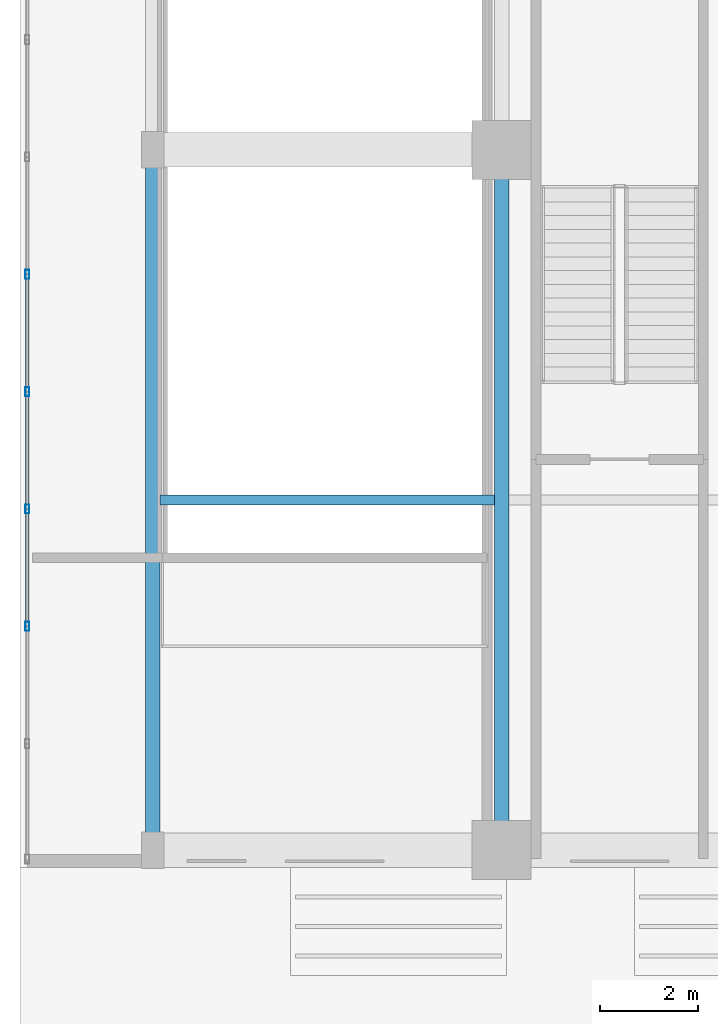
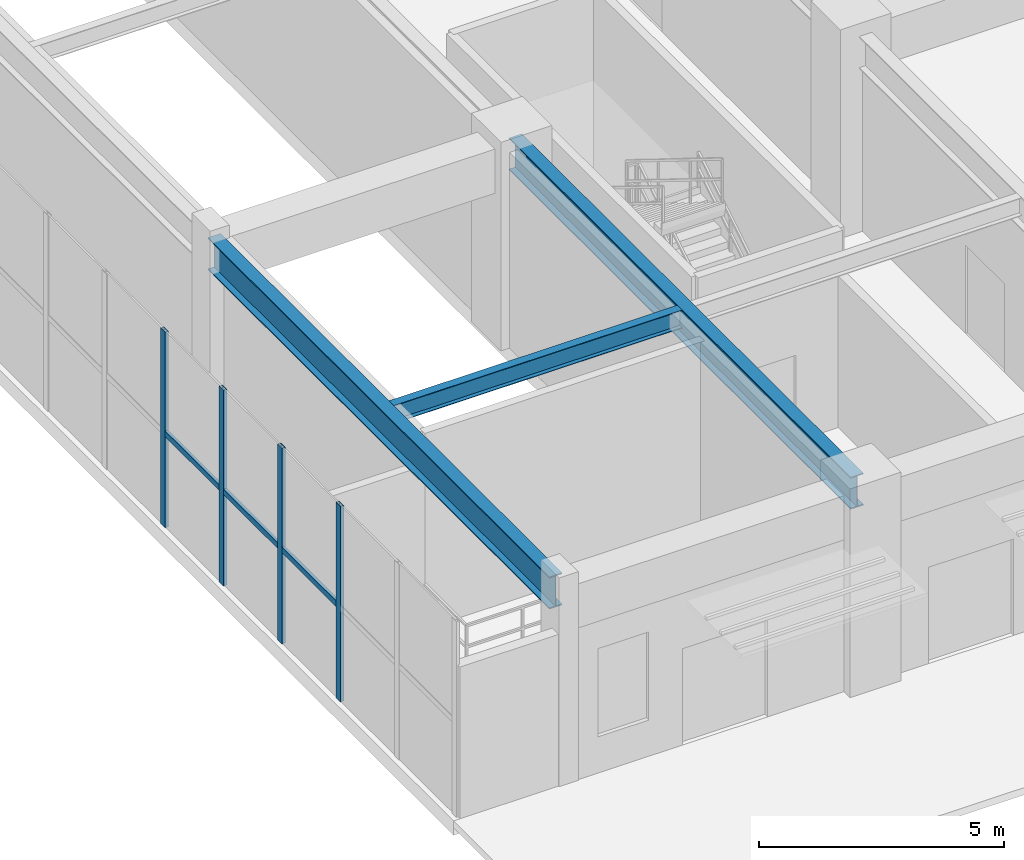
# One storey, part 4 of 40: 7 members, 3 beams, 1 element without a shape of its own.
"""IFC4 building model written with IfcOpenShell, lengths in metres."""

import ifcopenshell
import ifcopenshell.guid

model = None  # the IFC model being written
_history = None  # IfcOwnerHistory: only IFC2X3 demands one
_inside = {}  # id of a spatial element -> (the spatial element, [elements in it])
_under = {}  # id of a project, library or spatial element -> (it, [spatial elements below it])
_declared = {}  # id of a project -> (the project, [libraries it declares])
_typed = {}  # id of a type object -> (the type object, [elements of that type])
_made_of = {}  # id of a material, layer set ... -> (it, [elements and type objects made of it])


def new_model(schema):
    """Start an empty IFC model of exactly this schema.

    Asked for "IFC4X3", IfcOpenShell would pick the latest addendum, in which some entities
    have other attributes; the version numbers below select the first issue.
    IFC2X3 requires an IfcOwnerHistory on every rooted entity: one is made here for all.
    """
    global model, _history
    if schema == "IFC4X3":
        model = ifcopenshell.file(schema_version=(4, 3, 0, 0))
    else:
        model = ifcopenshell.file(schema=schema)
    _inside.clear()
    _under.clear()
    _declared.clear()
    _typed.clear()
    _made_of.clear()
    _history = None
    if model.schema == "IFC2X3":
        org = make("IfcOrganization", Name="unknown")
        user = make(
            "IfcPersonAndOrganization",
            ThePerson=make("IfcPerson", FamilyName="unknown"),
            TheOrganization=org,
        )
        app = make(
            "IfcApplication",
            ApplicationDeveloper=org,
            Version="unknown",
            ApplicationFullName="unknown",
            ApplicationIdentifier="unknown",
        )
        _history = make(
            "IfcOwnerHistory",
            OwningUser=user,
            OwningApplication=app,
            ChangeAction="ADDED",
            CreationDate=0,
        )
    return model


def make(cls, **values):
    """One entity of the class cls with the attributes given. An attribute that is None is left unset."""
    return model.create_entity(
        cls, **{name: value for name, value in values.items() if value is not None}
    )


def rooted(cls, **values):
    """An entity with a GlobalId (a new one), such as an element, a storey or a relation."""
    return make(cls, GlobalId=ifcopenshell.guid.new(), OwnerHistory=_history, **values)


def si_unit(unit_type, name, prefix=None):
    """IfcSIUnit, for example si_unit("LENGTHUNIT", "METRE", prefix="MILLI")."""
    return make("IfcSIUnit", UnitType=unit_type, Prefix=prefix, Name=name)


def assignment(units):
    """IfcUnitAssignment: the units of a project."""
    return None if units is None else make("IfcUnitAssignment", Units=units)


def point(xyz):
    """IfcCartesianPoint."""
    return None if xyz is None else make("IfcCartesianPoint", Coordinates=xyz)


def direction(xyz):
    """IfcDirection."""
    return None if xyz is None else make("IfcDirection", DirectionRatios=xyz)


def frame(location, z_axis=None, x_axis=None):
    """IfcAxis2Placement3D, a coordinate frame: its origin and axes. An axis left out is left unset."""
    return make(
        "IfcAxis2Placement3D",
        Location=point(location),
        Axis=direction(z_axis),
        RefDirection=direction(x_axis),
    )


def frame_2d(location, x_axis=None):
    """IfcAxis2Placement2D, a coordinate frame in the plane: its origin and x axis."""
    return make(
        "IfcAxis2Placement2D", Location=point(location), RefDirection=direction(x_axis)
    )


def origin():
    """The frame at (0, 0, 0) with its axes left unset."""
    return frame((0.0, 0.0, 0.0))


def origin_2d():
    """The frame at (0, 0) in the plane with its x axis left unset."""
    return frame_2d((0.0, 0.0))


def place(relative_to, where):
    """IfcLocalPlacement: puts the frame where relative to a parent placement (None: the world)."""
    return make(
        "IfcLocalPlacement", PlacementRelTo=relative_to, RelativePlacement=where
    )


def context(
    kind, dimensions, precision=None, world=None, true_north=None, identifier=None
):
    """IfcGeometricRepresentationContext, for example the 3D "Model" context."""
    return make(
        "IfcGeometricRepresentationContext",
        ContextIdentifier=identifier,
        ContextType=kind,
        CoordinateSpaceDimension=dimensions,
        Precision=precision,
        WorldCoordinateSystem=world,
        TrueNorth=true_north,
    )


def subcontext(parent, identifier, kind, view, scale=None):
    """IfcGeometricRepresentationSubContext, for example "Body" below "Model"."""
    return make(
        "IfcGeometricRepresentationSubContext",
        ContextIdentifier=identifier,
        ContextType=kind,
        ParentContext=parent,
        TargetScale=scale,
        TargetView=view,
    )


def project(units=None, contexts=None):
    """IfcProject with its units and contexts."""
    return rooted(
        "IfcProject",
        Name="project",
        RepresentationContexts=contexts,
        UnitsInContext=assignment(units),
    )


def spatial(cls, under=None, at=None, **own):
    """A site, building, storey or space (cls), placed at a placement, below another one or the project."""
    s = rooted(cls, ObjectPlacement=at, **own)
    if under is not None:
        _under.setdefault(under.id(), (under, []))[1].append(s)
    return s


def profile(cls, at=None, kind="AREA", **sizes):
    """A parametric profile (cls). Its sizes go by their IFC names, for example OverallWidth=200.0."""
    return make(cls, ProfileType=kind, Position=at, **sizes)


def hollow_rectangle(**sizes):
    """IfcRectangleHollowProfileDef."""
    return profile("IfcRectangleHollowProfileDef", **sizes)


def i_section(**sizes):
    """IfcIShapeProfileDef."""
    return profile("IfcIShapeProfileDef", **sizes)


def extrude(swept, where, along, depth):
    """IfcExtrudedAreaSolid: the profile swept, set in the frame where, extruded along a direction by depth."""
    return make(
        "IfcExtrudedAreaSolid",
        SweptArea=swept,
        Position=where,
        ExtrudedDirection=direction(along),
        Depth=depth,
    )


def shape(context_of_items, identifier, shape_type, items):
    """IfcShapeRepresentation: the items that make up one representation, for example the "Body"."""
    return make(
        "IfcShapeRepresentation",
        ContextOfItems=context_of_items,
        RepresentationIdentifier=identifier,
        RepresentationType=shape_type,
        Items=items,
    )


def source(mapping_origin, context_of_items, identifier, shape_type, items):
    """IfcRepresentationMap: a shape defined once, which mapped items show again and again."""
    return make(
        "IfcRepresentationMap",
        MappingOrigin=mapping_origin,
        MappedRepresentation=shape(context_of_items, identifier, shape_type, items),
    )


def transform(
    local_origin,
    x_axis=None,
    y_axis=None,
    z_axis=None,
    scale=None,
    scale2=None,
    scale3=None,
    uniform=True,
):
    """IfcCartesianTransformationOperator3D, or its non-uniform kind. x_axis, y_axis, z_axis: its Axis1, 2, 3."""
    if uniform:
        return make(
            "IfcCartesianTransformationOperator3D",
            Axis1=direction(x_axis),
            Axis2=direction(y_axis),
            LocalOrigin=point(local_origin),
            Scale=scale,
            Axis3=direction(z_axis),
        )
    return make(
        "IfcCartesianTransformationOperator3DnonUniform",
        Axis1=direction(x_axis),
        Axis2=direction(y_axis),
        LocalOrigin=point(local_origin),
        Scale=scale,
        Axis3=direction(z_axis),
        Scale2=scale2,
        Scale3=scale3,
    )


def mapped(mapping_source, mapping_target):
    """IfcMappedItem: shows the shape of a source again, moved by a transform."""
    return make(
        "IfcMappedItem", MappingSource=mapping_source, MappingTarget=mapping_target
    )


def material(Name=None, Category=None):
    """IfcMaterial."""
    return make("IfcMaterial", Name=Name, Category=Category)


def material_profile(
    of_material, cross_section, Name=None, Category=None, Priority=None
):
    """IfcMaterialProfile: a cross section and its material."""
    return make(
        "IfcMaterialProfile",
        Name=Name,
        Material=of_material,
        Profile=cross_section,
        Priority=Priority,
        Category=Category,
    )


def profile_set(profiles, Name=None, composite=None):
    """IfcMaterialProfileSet."""
    return make(
        "IfcMaterialProfileSet",
        Name=Name,
        MaterialProfiles=profiles,
        CompositeProfile=composite,
    )


def made_of(thing, what):
    """Note that an element or type object is made of a material, layer set ...; save() writes the relation."""
    if what is not None:
        _made_of.setdefault(what.id(), (what, []))[1].append(thing)
    return thing


def type_object(cls, material=None, **own):
    """A type object (cls), such as IfcWallType, which elements share."""
    return made_of(rooted(cls, **own), material)


def element(
    cls,
    number,
    at=None,
    inside=None,
    cuts=None,
    type_object=None,
    material=None,
    context=None,
    identifier="Body",
    shape_type=None,
    held_by="IfcProductDefinitionShape",
    body=None,
    shapes=None,
    **own,
):
    """One element of the class cls, such as IfcWall. Its Tag is "e" and its number.

    at: its placement. inside: the storey or other place that contains it. cuts: it is an
    opening in that element (IfcRelVoidsElement). A single representation is given by context,
    identifier, shape_type and body (its items); several are given by shapes. held_by: the class
    of the entity that holds the representations. save() writes the other relations.
    """
    e = rooted(cls, Tag="e%d" % number, ObjectPlacement=at, **own)
    if body is not None:
        shapes = [shape(context, identifier, shape_type, body)]
    if shapes is not None:
        e.Representation = make(held_by, Representations=shapes)
    if inside is not None:
        _inside.setdefault(inside.id(), (inside, []))[1].append(e)
    if cuts is not None:
        rooted(
            "IfcRelVoidsElement", RelatingBuildingElement=cuts, RelatedOpeningElement=e
        )
    if type_object is not None:
        _typed.setdefault(type_object.id(), (type_object, []))[1].append(e)
    return made_of(e, material)


def aggregate(whole, parts):
    """IfcRelAggregates: a whole, such as a stair, and the parts it consists of."""
    return rooted("IfcRelAggregates", RelatingObject=whole, RelatedObjects=parts)


def save(model, path):
    """Write the relations noted so far, then the file.

    IfcRelAggregates (storeys below a building ...), IfcRelContainedInSpatialStructure (elements
    in a storey), IfcRelDefinesByType, IfcRelAssociatesMaterial and IfcRelDeclares: one each for
    every whole, place, type object, material and project.
    """
    for whole, parts in _under.values():
        aggregate(whole, parts)
    for where, things in _inside.values():
        rooted(
            "IfcRelContainedInSpatialStructure",
            RelatedElements=things,
            RelatingStructure=where,
        )
    for kind, things in _typed.values():
        rooted("IfcRelDefinesByType", RelatedObjects=things, RelatingType=kind)
    for what, things in _made_of.values():
        rooted("IfcRelAssociatesMaterial", RelatedObjects=things, RelatingMaterial=what)
    for by, libraries in _declared.values():
        rooted("IfcRelDeclares", RelatingContext=by, RelatedDefinitions=libraries)
    model.write(path)


model = new_model("IFC4")

# Units and contexts
model_context = context("Model", 3, precision=1e-05, world=origin(), true_north=direction((0.0, 1.0)))
body_context = subcontext(model_context, "Body", "Model", "MODEL_VIEW")
ifc_project = project(units=[si_unit("LENGTHUNIT", "METRE"), si_unit("AREAUNIT", "SQUARE_METRE"), si_unit("VOLUMEUNIT", "CUBIC_METRE"), si_unit("PLANEANGLEUNIT", "RADIAN"), si_unit("MASSUNIT", "GRAM", prefix="KILO")], contexts=[model_context])

# Site, building, storey
site_placement = place(None, origin())
site = spatial("IfcSite", under=ifc_project, at=site_placement, CompositionType="ELEMENT")
building_placement = place(site_placement, origin())
building = spatial("IfcBuilding", under=site, at=building_placement, Name="Trelvane Seafront Commons", CompositionType="ELEMENT")
storey_placement = place(building_placement, origin())
storey = spatial("IfcBuildingStorey", under=building, at=storey_placement, Name="L00", CompositionType="ELEMENT", Elevation=0.0)

# Beams
ifc_material_1 = material(Name="Steel SM355 (S355)", Category="steel")
ifc_material_profile_1 = material_profile(ifc_material_1, i_section(OverallWidth=0.300048828125, OverallDepth=0.800048828125, WebThickness=0.013916015625, FlangeThickness=0.02587890625, at=origin_2d()), Name="H-800x300x14x26")
ifc_profile_set_1 = profile_set([ifc_material_profile_1], Name="Steel SM355 (S355)")
beam_type_1 = type_object("IfcBeamType", Name="STR-BM-H800", PredefinedType="BEAM", material=ifc_profile_set_1)
shared_shape_1 = source(origin(), body_context, "Body", "SweptSolid", [
    extrude(i_section(OverallWidth=0.300048828125, OverallDepth=0.800048828125, WebThickness=0.013916015625, FlangeThickness=0.02587890625, at=origin_2d()), origin(), (0.0, 0.0, 1.0), 13.949951171875),
])
for number, where, z_axis, x_axis, name in (
    (1, (0.5, 4.10009765625, 4.47998046875), (0.0, 1.0, 0.0), (-1.0, 0.0, 0.0), "L00 Primary Girder G-31"),
    (2, (7.60009765625, 4.10009765625, 4.47998046875), (0.0, 1.0, 0.0), (-1.0, 0.0, 0.0), "L00 Primary Girder G-35"),
):
    element("IfcBeam", number, at=place(storey_placement, frame(where, z_axis=z_axis, x_axis=x_axis)), inside=storey, type_object=beam_type_1, Name=name, PredefinedType="BEAM", context=body_context, shape_type="MappedRepresentation", body=[
        mapped(shared_shape_1, transform((0.0, 0.0, 0.0), x_axis=(1.0, 0.0, 0.0), y_axis=(0.0, 1.0, 0.0), z_axis=(0.0, 0.0, 1.0), scale=1.0)),
    ])
ifc_material_profile_2 = material_profile(ifc_material_1, i_section(OverallWidth=0.199951171875, OverallDepth=0.449951171875, WebThickness=0.009033203125, FlangeThickness=0.013916015625, at=origin_2d()), Name="H-450x200x9x14")
ifc_profile_set_2 = profile_set([ifc_material_profile_2], Name="Steel SM355 (S355)")
beam_type_2 = type_object("IfcBeamType", Name="STR-JST-H450", PredefinedType="JOIST", material=ifc_profile_set_2)
shared_shape_2 = source(origin(), body_context, "Body", "SweptSolid", [
    extrude(i_section(OverallWidth=0.199951171875, OverallDepth=0.449951171875, WebThickness=0.009033203125, FlangeThickness=0.013916015625, at=origin_2d()), origin(), (0.0, 0.0, 1.0), 6.800048828125),
])
beam_placement = place(storey_placement, frame((0.64990234375, 11.074951171875, 4.655029296875), z_axis=(1.0, 0.0, 0.0), x_axis=(0.0, 1.0, 0.0)))
element("IfcBeam", 3, at=beam_placement, inside=storey, type_object=beam_type_2, Name="L00 Secondary Floor Joist B-59", PredefinedType="JOIST", context=body_context, shape_type="MappedRepresentation", body=[
    mapped(shared_shape_2, transform((0.0, 0.0, 0.0), x_axis=(1.0, 0.0, 0.0), y_axis=(0.0, 1.0, 0.0), z_axis=(0.0, 0.0, 1.0), scale=1.0)),
])

# Curtain wall, members
ifc_material_2 = material(Name="Anodised pale-silver aluminium", Category="aluminium")
curtain_wall_type = type_object("IfcCurtainWallType", Name="ARCH-CW4-SKYLOBBY", PredefinedType="NOTDEFINED", material=ifc_material_2)
curtain_wall_placement = place(storey_placement, origin())
curtain_wall = element("IfcCurtainWall", 4, at=curtain_wall_placement, inside=storey, type_object=curtain_wall_type, Name="CW-L00-0006", PredefinedType="NOTDEFINED")
ifc_material_profile_3 = material_profile(ifc_material_2, hollow_rectangle(XDim=0.080078125, YDim=0.179931640625, WallThickness=0.00439453125, at=origin_2d()), Name="MULL-80x180x4.5")
ifc_profile_set_3 = profile_set([ifc_material_profile_3], Name="Anodised pale-silver aluminium")
member_type_1 = type_object("IfcMemberType", Name="ARCH-CW-MULL-180", PredefinedType="MULLION", material=ifc_profile_set_3)
shared_shape_3 = source(origin(), body_context, "Body", "SweptSolid", [
    extrude(hollow_rectangle(XDim=0.080078125, YDim=0.179931640625, WallThickness=0.00439453125, at=origin_2d()), origin(), (0.0, 0.0, 1.0), 4.8798828125),
])
member_1_placement = place(storey_placement, frame((-2.050048828125, 8.50390625, 0.0), z_axis=(0.0, 0.0, 1.0), x_axis=(1.0, 0.0, 0.0)))
member_1 = element("IfcMember", 5, at=member_1_placement, type_object=member_type_1, Name="CW-L00-0006-M02", PredefinedType="MULLION", context=body_context, shape_type="MappedRepresentation", body=[
    mapped(shared_shape_3, transform((0.0, 0.0, 0.0), x_axis=(1.0, 0.0, 0.0), y_axis=(0.0, 1.0, 0.0), z_axis=(0.0, 0.0, 1.0), scale=1.0)),
])
member_2_placement = place(storey_placement, frame((-2.050048828125, 10.89111328125, 0.0), z_axis=(0.0, 0.0, 1.0), x_axis=(1.0, 0.0, 0.0)))
member_2 = element("IfcMember", 6, at=member_2_placement, type_object=member_type_1, Name="CW-L00-0006-M03", PredefinedType="MULLION", context=body_context, shape_type="MappedRepresentation", body=[
    mapped(shared_shape_3, transform((0.0, 0.0, 0.0), x_axis=(1.0, 0.0, 0.0), y_axis=(0.0, 1.0, 0.0), z_axis=(0.0, 0.0, 1.0), scale=1.0)),
])
member_3_placement = place(storey_placement, frame((-2.050048828125, 13.278076171875, 0.0), z_axis=(0.0, 0.0, 1.0), x_axis=(1.0, 0.0, 0.0)))
member_3 = element("IfcMember", 7, at=member_3_placement, type_object=member_type_1, Name="CW-L00-0006-M04", PredefinedType="MULLION", context=body_context, shape_type="MappedRepresentation", body=[
    mapped(shared_shape_3, transform((0.0, 0.0, 0.0), x_axis=(1.0, 0.0, 0.0), y_axis=(0.0, 1.0, 0.0), z_axis=(0.0, 0.0, 1.0), scale=1.0)),
])
member_4_placement = place(storey_placement, frame((-2.050048828125, 15.6650390625, 0.0), z_axis=(0.0, 0.0, 1.0), x_axis=(1.0, 0.0, 0.0)))
member_4 = element("IfcMember", 8, at=member_4_placement, type_object=member_type_1, Name="CW-L00-0006-M05", PredefinedType="MULLION", context=body_context, shape_type="MappedRepresentation", body=[
    mapped(shared_shape_3, transform((0.0, 0.0, 0.0), x_axis=(1.0, 0.0, 0.0), y_axis=(0.0, 1.0, 0.0), z_axis=(0.0, 0.0, 1.0), scale=1.0)),
])
ifc_material_profile_4 = material_profile(ifc_material_2, hollow_rectangle(XDim=0.074951171875, YDim=0.139892578125, WallThickness=0.00390625, at=origin_2d()), Name="TRAN-75x140x4")
ifc_profile_set_4 = profile_set([ifc_material_profile_4], Name="Anodised pale-silver aluminium")
member_type_2 = type_object("IfcMemberType", Name="ARCH-CW-TRAN-140", PredefinedType="USERDEFINED", material=ifc_profile_set_4)
shared_shape_4 = source(origin(), body_context, "Body", "SweptSolid", [
    extrude(hollow_rectangle(XDim=0.074951171875, YDim=0.139892578125, WallThickness=0.00390625, at=origin_2d()), origin(), (0.0, 0.0, 1.0), 2.363037109375),
])
member_5_placement = place(storey_placement, frame((-2.050048828125, 10.903076171875, 2.342041015625), z_axis=(0.0, 1.0, 0.0), x_axis=(-1.0, 0.0, 0.0)))
member_5 = element("IfcMember", 9, at=member_5_placement, type_object=member_type_2, Name="CW-L00-0006-T03", ObjectType="TRANSOM", PredefinedType="USERDEFINED", context=body_context, shape_type="MappedRepresentation", body=[
    mapped(shared_shape_4, transform((0.0, 0.0, 0.0), x_axis=(1.0, 0.0, 0.0), y_axis=(0.0, 1.0, 0.0), z_axis=(0.0, 0.0, 1.0), scale=1.0)),
])
member_6_placement = place(storey_placement, frame((-2.050048828125, 13.2900390625, 2.342041015625), z_axis=(0.0, 1.0, 0.0), x_axis=(-1.0, 0.0, 0.0)))
member_6 = element("IfcMember", 10, at=member_6_placement, type_object=member_type_2, Name="CW-L00-0006-T04", ObjectType="TRANSOM", PredefinedType="USERDEFINED", context=body_context, shape_type="MappedRepresentation", body=[
    mapped(shared_shape_4, transform((0.0, 0.0, 0.0), x_axis=(1.0, 0.0, 0.0), y_axis=(0.0, 1.0, 0.0), z_axis=(0.0, 0.0, 1.0), scale=1.0)),
])
shared_shape_5 = source(origin(), body_context, "Body", "SweptSolid", [
    extrude(hollow_rectangle(XDim=0.074951171875, YDim=0.139892578125, WallThickness=0.00390625, at=origin_2d()), origin(), (0.0, 0.0, 1.0), 2.36279296875),
])
member_7_placement = place(storey_placement, frame((-2.050048828125, 8.51611328125, 2.342041015625), z_axis=(0.0, 1.0, 0.0), x_axis=(-1.0, 0.0, 0.0)))
member_7 = element("IfcMember", 11, at=member_7_placement, type_object=member_type_2, Name="CW-L00-0006-T02", ObjectType="TRANSOM", PredefinedType="USERDEFINED", context=body_context, shape_type="MappedRepresentation", body=[
    mapped(shared_shape_5, transform((0.0, 0.0, 0.0), x_axis=(1.0, 0.0, 0.0), y_axis=(0.0, 1.0, 0.0), z_axis=(0.0, 0.0, 1.0), scale=1.0)),
])
aggregate(curtain_wall, [member_1, member_2, member_3, member_4, member_7, member_5, member_6])

save(model, "model.ifc")
